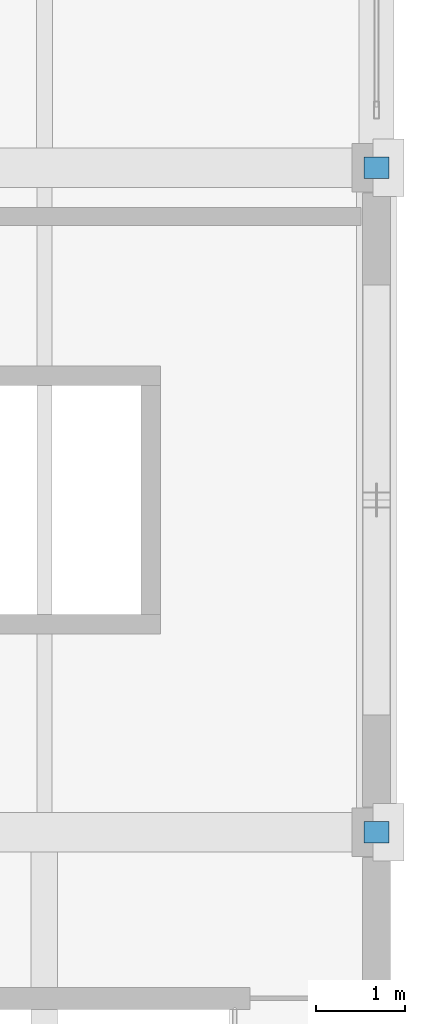
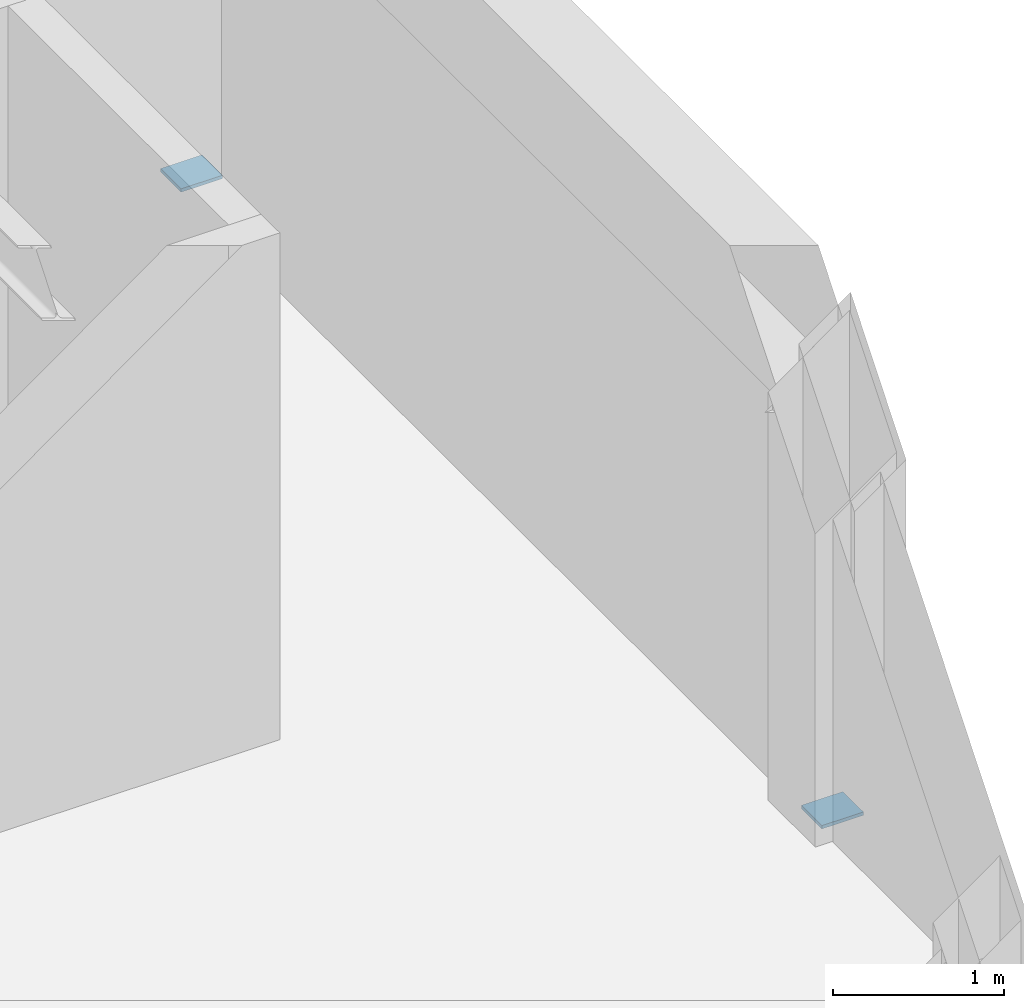
# One storey, part 88 of 101: 2 discrete accessories.
"""IFC4 building model written with IfcOpenShell, lengths in metres."""

from ifc_helpers import new_model, si_unit, direction, frame, origin, origin_2d, place, context, subcontext, project, spatial, rectangle, extrude, material, type_object, element, save


model = new_model("IFC4")

# Units and contexts
model_context = context("Model", 3, precision=1e-05, world=origin(), true_north=direction((0.0, 1.0)))
body_context = subcontext(model_context, "Body", "Model", "MODEL_VIEW")
ifc_project = project(units=[si_unit("LENGTHUNIT", "METRE"), si_unit("AREAUNIT", "SQUARE_METRE"), si_unit("VOLUMEUNIT", "CUBIC_METRE"), si_unit("PLANEANGLEUNIT", "RADIAN"), si_unit("MASSUNIT", "GRAM", prefix="KILO")], contexts=[model_context])

# Site, building, storey
site_placement = place(None, origin())
site = spatial("IfcSite", under=ifc_project, at=site_placement, CompositionType="ELEMENT")
building_placement = place(site_placement, origin())
building = spatial("IfcBuilding", under=site, at=building_placement, Name="Qasida Concert Hall", CompositionType="ELEMENT")
storey_placement = place(building_placement, frame((0.0, 0.0, 13.199951171875)))
storey = spatial("IfcBuildingStorey", under=building, at=storey_placement, Name="L03", CompositionType="ELEMENT", Elevation=13.199951171875)

# Discrete accessories
ifc_material = material(Name="Steel S355J2", Category="steel")
discrete_accessory_type = type_object("IfcDiscreteAccessoryType", Name="ACC-CONN-S355", PredefinedType="BRACKET", material=ifc_material)
for number, where, z_axis, x_axis, name in (
    (1, (165.0, 82.5, -0.011962890625), (0.0, 0.0, 1.0), (1.0, 0.0, 0.0), "Steel brace/strut end connection CN-0234"),
    (2, (165.0, 90.0, -0.011962890625), (0.0, 0.0, 1.0), (1.0, 0.0, 0.0), "Steel brace/strut end connection CN-0235"),
):
    element("IfcDiscreteAccessory", number, at=place(storey_placement, frame(where, z_axis=z_axis, x_axis=x_axis)), inside=storey, type_object=discrete_accessory_type, Name=name, PredefinedType="BRACKET", context=body_context, shape_type="SweptSolid", body=[
        extrude(rectangle(XDim=0.280029296875, YDim=0.239990234375, at=origin_2d()), origin(), (0.0, 0.0, 1.0), 0.02392578125),
    ])

save(model, "model.ifc")
